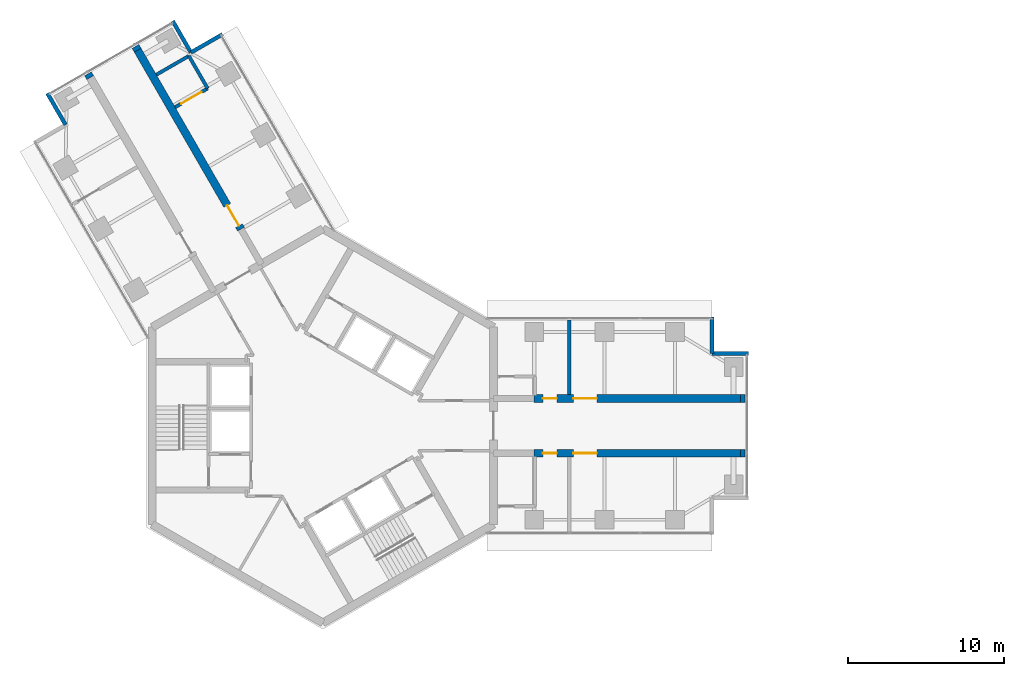
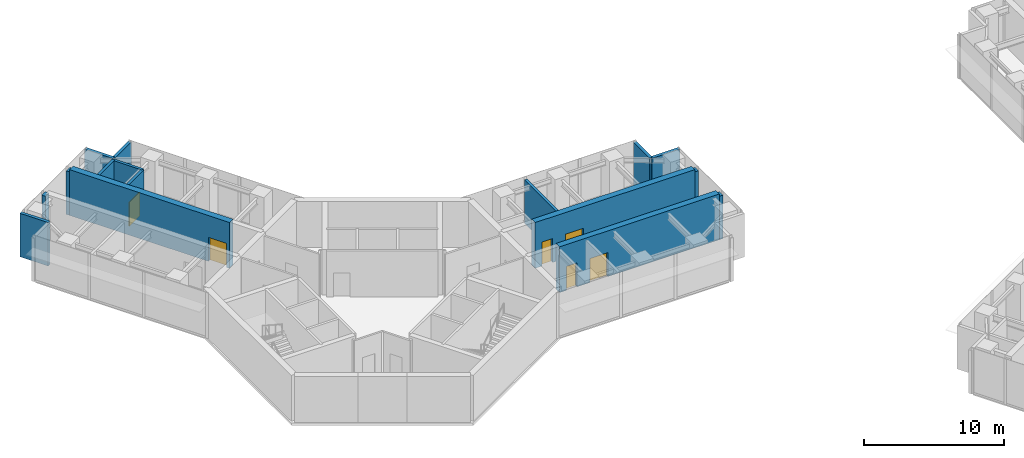
# One storey, part 13 of 17: 16 walls, 6 doors, 6 openings.
"""IFC4 building model written with IfcOpenShell, lengths in metres."""

import ifcopenshell
import ifcopenshell.guid

model = None  # the IFC model being written
_history = None  # IfcOwnerHistory: only IFC2X3 demands one
_inside = {}  # id of a spatial element -> (the spatial element, [elements in it])
_under = {}  # id of a project, library or spatial element -> (it, [spatial elements below it])
_declared = {}  # id of a project -> (the project, [libraries it declares])
_typed = {}  # id of a type object -> (the type object, [elements of that type])
_made_of = {}  # id of a material, layer set ... -> (it, [elements and type objects made of it])


def new_model(schema):
    """Start an empty IFC model of exactly this schema.

    Asked for "IFC4X3", IfcOpenShell would pick the latest addendum, in which some entities
    have other attributes; the version numbers below select the first issue.
    IFC2X3 requires an IfcOwnerHistory on every rooted entity: one is made here for all.
    """
    global model, _history
    if schema == "IFC4X3":
        model = ifcopenshell.file(schema_version=(4, 3, 0, 0))
    else:
        model = ifcopenshell.file(schema=schema)
    _inside.clear()
    _under.clear()
    _declared.clear()
    _typed.clear()
    _made_of.clear()
    _history = None
    if model.schema == "IFC2X3":
        org = make("IfcOrganization", Name="unknown")
        user = make(
            "IfcPersonAndOrganization",
            ThePerson=make("IfcPerson", FamilyName="unknown"),
            TheOrganization=org,
        )
        app = make(
            "IfcApplication",
            ApplicationDeveloper=org,
            Version="unknown",
            ApplicationFullName="unknown",
            ApplicationIdentifier="unknown",
        )
        _history = make(
            "IfcOwnerHistory",
            OwningUser=user,
            OwningApplication=app,
            ChangeAction="ADDED",
            CreationDate=0,
        )
    return model


def make(cls, **values):
    """One entity of the class cls with the attributes given. An attribute that is None is left unset."""
    return model.create_entity(
        cls, **{name: value for name, value in values.items() if value is not None}
    )


def rooted(cls, **values):
    """An entity with a GlobalId (a new one), such as an element, a storey or a relation."""
    return make(cls, GlobalId=ifcopenshell.guid.new(), OwnerHistory=_history, **values)


def si_unit(unit_type, name, prefix=None):
    """IfcSIUnit, for example si_unit("LENGTHUNIT", "METRE", prefix="MILLI")."""
    return make("IfcSIUnit", UnitType=unit_type, Prefix=prefix, Name=name)


def assignment(units):
    """IfcUnitAssignment: the units of a project."""
    return None if units is None else make("IfcUnitAssignment", Units=units)


def point(xyz):
    """IfcCartesianPoint."""
    return None if xyz is None else make("IfcCartesianPoint", Coordinates=xyz)


def direction(xyz):
    """IfcDirection."""
    return None if xyz is None else make("IfcDirection", DirectionRatios=xyz)


def frame(location, z_axis=None, x_axis=None):
    """IfcAxis2Placement3D, a coordinate frame: its origin and axes. An axis left out is left unset."""
    return make(
        "IfcAxis2Placement3D",
        Location=point(location),
        Axis=direction(z_axis),
        RefDirection=direction(x_axis),
    )


def frame_2d(location, x_axis=None):
    """IfcAxis2Placement2D, a coordinate frame in the plane: its origin and x axis."""
    return make(
        "IfcAxis2Placement2D", Location=point(location), RefDirection=direction(x_axis)
    )


def origin():
    """The frame at (0, 0, 0) with its axes left unset."""
    return frame((0.0, 0.0, 0.0))


def place(relative_to, where):
    """IfcLocalPlacement: puts the frame where relative to a parent placement (None: the world)."""
    return make(
        "IfcLocalPlacement", PlacementRelTo=relative_to, RelativePlacement=where
    )


def context(
    kind, dimensions, precision=None, world=None, true_north=None, identifier=None
):
    """IfcGeometricRepresentationContext, for example the 3D "Model" context."""
    return make(
        "IfcGeometricRepresentationContext",
        ContextIdentifier=identifier,
        ContextType=kind,
        CoordinateSpaceDimension=dimensions,
        Precision=precision,
        WorldCoordinateSystem=world,
        TrueNorth=true_north,
    )


def subcontext(parent, identifier, kind, view, scale=None):
    """IfcGeometricRepresentationSubContext, for example "Body" below "Model"."""
    return make(
        "IfcGeometricRepresentationSubContext",
        ContextIdentifier=identifier,
        ContextType=kind,
        ParentContext=parent,
        TargetScale=scale,
        TargetView=view,
    )


def project(units=None, contexts=None):
    """IfcProject with its units and contexts."""
    return rooted(
        "IfcProject",
        Name="project",
        RepresentationContexts=contexts,
        UnitsInContext=assignment(units),
    )


def spatial(cls, under=None, at=None, **own):
    """A site, building, storey or space (cls), placed at a placement, below another one or the project."""
    s = rooted(cls, ObjectPlacement=at, **own)
    if under is not None:
        _under.setdefault(under.id(), (under, []))[1].append(s)
    return s


def profile(cls, at=None, kind="AREA", **sizes):
    """A parametric profile (cls). Its sizes go by their IFC names, for example OverallWidth=200.0."""
    return make(cls, ProfileType=kind, Position=at, **sizes)


def rectangle(**sizes):
    """IfcRectangleProfileDef."""
    return profile("IfcRectangleProfileDef", **sizes)


def extrude(swept, where, along, depth):
    """IfcExtrudedAreaSolid: the profile swept, set in the frame where, extruded along a direction by depth."""
    return make(
        "IfcExtrudedAreaSolid",
        SweptArea=swept,
        Position=where,
        ExtrudedDirection=direction(along),
        Depth=depth,
    )


def shape(context_of_items, identifier, shape_type, items):
    """IfcShapeRepresentation: the items that make up one representation, for example the "Body"."""
    return make(
        "IfcShapeRepresentation",
        ContextOfItems=context_of_items,
        RepresentationIdentifier=identifier,
        RepresentationType=shape_type,
        Items=items,
    )


def material(Name=None, Category=None):
    """IfcMaterial."""
    return make("IfcMaterial", Name=Name, Category=Category)


def layer(
    of_material, thickness, ventilated=None, Name=None, Category=None, Priority=None
):
    """IfcMaterialLayer: one layer of a wall or slab, of a material (None: an air gap)."""
    return make(
        "IfcMaterialLayer",
        Material=of_material,
        LayerThickness=thickness,
        IsVentilated=ventilated,
        Name=Name,
        Category=Category,
        Priority=Priority,
    )


def layer_set(layers, Name=None):
    """IfcMaterialLayerSet."""
    return make("IfcMaterialLayerSet", MaterialLayers=layers, LayerSetName=Name)


def made_of(thing, what):
    """Note that an element or type object is made of a material, layer set ...; save() writes the relation."""
    if what is not None:
        _made_of.setdefault(what.id(), (what, []))[1].append(thing)
    return thing


def type_object(cls, material=None, **own):
    """A type object (cls), such as IfcWallType, which elements share."""
    return made_of(rooted(cls, **own), material)


def element(
    cls,
    number,
    at=None,
    inside=None,
    cuts=None,
    type_object=None,
    material=None,
    context=None,
    identifier="Body",
    shape_type=None,
    held_by="IfcProductDefinitionShape",
    body=None,
    shapes=None,
    **own,
):
    """One element of the class cls, such as IfcWall. Its Tag is "e" and its number.

    at: its placement. inside: the storey or other place that contains it. cuts: it is an
    opening in that element (IfcRelVoidsElement). A single representation is given by context,
    identifier, shape_type and body (its items); several are given by shapes. held_by: the class
    of the entity that holds the representations. save() writes the other relations.
    """
    e = rooted(cls, Tag="e%d" % number, ObjectPlacement=at, **own)
    if body is not None:
        shapes = [shape(context, identifier, shape_type, body)]
    if shapes is not None:
        e.Representation = make(held_by, Representations=shapes)
    if inside is not None:
        _inside.setdefault(inside.id(), (inside, []))[1].append(e)
    if cuts is not None:
        rooted(
            "IfcRelVoidsElement", RelatingBuildingElement=cuts, RelatedOpeningElement=e
        )
    if type_object is not None:
        _typed.setdefault(type_object.id(), (type_object, []))[1].append(e)
    return made_of(e, material)


def fill(opening, filler):
    """IfcRelFillsElement: the door or window that sits in an opening."""
    return rooted(
        "IfcRelFillsElement",
        RelatingOpeningElement=opening,
        RelatedBuildingElement=filler,
    )


def aggregate(whole, parts):
    """IfcRelAggregates: a whole, such as a stair, and the parts it consists of."""
    return rooted("IfcRelAggregates", RelatingObject=whole, RelatedObjects=parts)


def save(model, path):
    """Write the relations noted so far, then the file.

    IfcRelAggregates (storeys below a building ...), IfcRelContainedInSpatialStructure (elements
    in a storey), IfcRelDefinesByType, IfcRelAssociatesMaterial and IfcRelDeclares: one each for
    every whole, place, type object, material and project.
    """
    for whole, parts in _under.values():
        aggregate(whole, parts)
    for where, things in _inside.values():
        rooted(
            "IfcRelContainedInSpatialStructure",
            RelatedElements=things,
            RelatingStructure=where,
        )
    for kind, things in _typed.values():
        rooted("IfcRelDefinesByType", RelatedObjects=things, RelatingType=kind)
    for what, things in _made_of.values():
        rooted("IfcRelAssociatesMaterial", RelatedObjects=things, RelatingMaterial=what)
    for by, libraries in _declared.values():
        rooted("IfcRelDeclares", RelatingContext=by, RelatedDefinitions=libraries)
    model.write(path)


model = new_model("IFC4")

# Units and contexts
model_context = context("Model", 3, precision=1e-05, world=origin(), true_north=direction((0.0, 1.0)))
body_context = subcontext(model_context, "Body", "Model", "MODEL_VIEW")
ifc_project = project(units=[si_unit("LENGTHUNIT", "METRE"), si_unit("AREAUNIT", "SQUARE_METRE"), si_unit("VOLUMEUNIT", "CUBIC_METRE"), si_unit("PLANEANGLEUNIT", "RADIAN"), si_unit("MASSUNIT", "GRAM", prefix="KILO")], contexts=[model_context])

# Site, building, storey
site_placement = place(None, origin())
site = spatial("IfcSite", under=ifc_project, at=site_placement, CompositionType="ELEMENT")
building_placement = place(site_placement, origin())
building = spatial("IfcBuilding", under=site, at=building_placement, Name="Upepo Twin Towers", CompositionType="ELEMENT")
storey_placement = place(building_placement, frame((0.0, 0.0, 182.5)))
storey = spatial("IfcBuildingStorey", under=building, at=storey_placement, Name="L44", CompositionType="ELEMENT", Elevation=182.5)

# Walls
ifc_material_1 = material(Name="Concrete blockwork, plastered both faces", Category="masonry")
ifc_layer_1 = layer(ifc_material_1, 0.215087890625)
ifc_layer_set_1 = layer_set([ifc_layer_1], Name="Blockwork partition 215")
wall_type_1 = type_object("IfcWallType", Name="Blockwork partition 215", PredefinedType="PARTITIONING", material=ifc_layer_set_1)
wall_1_placement = place(storey_placement, frame((15.75, 2.0, 0.0), z_axis=(0.0, 0.0, 1.0), x_axis=(0.0, 1.0, 0.0)))
element("IfcWall", 1, at=wall_1_placement, inside=storey, type_object=wall_type_1, Name="T1 partition AL at 15.75", PredefinedType="PARTITIONING", context=body_context, shape_type="SweptSolid", body=[
    extrude(rectangle(XDim=4.75, YDim=0.215087890625, at=frame_2d((2.375, 0.0))), origin(), (0.0, 0.0, 1.0), 3.800048828125),
])
wall_2_placement = place(storey_placement, frame((-7.364501953125, 21.5556640625, 0.0), z_axis=(0.0, 0.0, 1.0), x_axis=(-0.500001309137, 0.866024647952, 0.0)))
element("IfcWall", 2, at=wall_2_placement, inside=storey, type_object=wall_type_1, Name="T1 inner room partition BR at 22.35", PredefinedType="PARTITIONING", context=body_context, shape_type="SweptSolid", body=[
    extrude(rectangle(XDim=2.39990234375, YDim=0.215087890625, at=frame_2d((1.199951171875, 0.0))), origin(), (0.0, 0.0, 1.0), 3.800048828125),
])

# Wall, opening, door
wall_3_placement = place(storey_placement, frame((-9.44287109375, 20.355712890625, 0.0), z_axis=(0.0, 0.0, 1.0), x_axis=(0.866024647952, 0.500001309137, 0.0)))
wall_3 = element("IfcWall", 3, at=wall_3_placement, inside=storey, type_object=wall_type_1, Name="T1 inner room partition BR end at 22.35", PredefinedType="PARTITIONING", context=body_context, shape_type="SweptSolid", body=[
    extrude(rectangle(XDim=2.39990234375, YDim=0.215087890625, at=frame_2d((1.199951171875, 0.0))), origin(), (0.0, 0.0, 1.0), 3.800048828125),
])
opening_1_placement = place(wall_3_placement, frame((0.449951171875, 0.0, 0.0)))
opening_1 = element("IfcOpeningElement", 4, at=opening_1_placement, cuts=wall_3, Name="Opening D13", PredefinedType="OPENING", context=body_context, shape_type="SweptSolid", body=[
    extrude(rectangle(XDim=1.5, YDim=2.10009765625, at=frame_2d((0.75, 1.050048828125))), frame((0.0, 0.117431640625, 0.0), z_axis=(0.0, -1.0, 0.0), x_axis=(1.0, 0.0, 0.0)), (0.0, 0.0, 1.0), 0.235107421875),
])
ifc_material_2 = material(Name="Timber doorset", Category="wood")
door_type_1 = type_object("IfcDoorType", Name="Double door 1500 FD30", OperationType="DOUBLE_DOOR_SINGLE_SWING", PredefinedType="DOOR", material=ifc_material_2)
door_1_placement = place(opening_1_placement, origin())
door_1 = element("IfcDoor", 5, at=door_1_placement, inside=storey, type_object=door_type_1, Name="T1 L44 inner room door", OperationType="DOUBLE_DOOR_SINGLE_SWING", OverallHeight=2.10009765625, OverallWidth=1.5, PredefinedType="DOOR", context=body_context, shape_type="SweptSolid", body=[
    extrude(rectangle(XDim=1.5, YDim=2.10009765625, at=frame_2d((0.75, 1.050048828125))), frame((0.0, 0.02490234375, 0.0), z_axis=(0.0, -1.0, 0.0), x_axis=(1.0, 0.0, 0.0)), (0.0, 0.0, 1.0), 0.050048828125),
])
fill(opening_1, door_1)

# Walls
wall_4_placement = place(storey_placement, frame((-10.64306640625, 22.43408203125, 0.0), z_axis=(0.0, 0.0, 1.0), x_axis=(0.866050077142, 0.499957262057, 0.0)))
element("IfcWall", 6, at=wall_4_placement, inside=storey, type_object=wall_type_1, Name="T1 inner room partition BR end at 24.75", PredefinedType="PARTITIONING", context=body_context, shape_type="SweptSolid", body=[
    extrude(rectangle(XDim=2.400146484375, YDim=0.215087890625, at=frame_2d((1.2001953125, 0.0))), origin(), (0.0, 0.0, 1.0), 3.800048828125),
])
ifc_material_3 = material(Name="Dense concrete blockwork", Category="masonry")
ifc_layer_2 = layer(ifc_material_3, 0.5)
ifc_layer_set_2 = layer_set([ifc_layer_2], Name="Buttress closer 500, blockwork with fire-stopping to the curtain wall")
wall_type_2 = type_object("IfcWallType", Name="Buttress closer 500, blockwork with fire-stopping to the curtain wall", PredefinedType="PARTITIONING", material=ifc_layer_set_2)
for number, where, z_axis, x_axis, name in (
    (7, (26.699951171875, 1.75, 0.0), (0.0, 0.0, 1.0), (1.0, 0.0, 0.0), "T1 L44 wing A buttress closer L"),
    (8, (26.699951171875, -1.75, 0.0), (0.0, 0.0, 1.0), (1.0, 0.0, 0.0), "T1 L44 wing A buttress closer R"),
    (9, (-14.865478515625, 22.247802734375, 0.0), (0.0, 0.0, 1.0), (-0.500065409566, 0.86598763626, 0.0), "T1 L44 wing B buttress closer L"),
    (10, (-11.83447265625, 23.997802734375, 0.0), (0.0, 0.0, 1.0), (-0.500065409566, 0.86598763626, 0.0), "T1 L44 wing B buttress closer R"),
):
    element("IfcWall", number, at=place(storey_placement, frame(where, z_axis=z_axis, x_axis=x_axis)), inside=storey, type_object=wall_type_2, Name=name, PredefinedType="PARTITIONING", context=body_context, shape_type="SweptSolid", body=[
        extrude(rectangle(XDim=0.28759765625, YDim=0.5, at=frame_2d((0.143798828125, 0.0))), origin(), (0.0, 0.0, 1.0), 3.800048828125),
    ])

# Wall, openings, doors
ifc_material_4 = material(Name="Concrete C60/75", Category="concrete")
ifc_layer_3 = layer(ifc_material_4, 0.5)
ifc_layer_set_3 = layer_set([ifc_layer_3], Name="Concrete C60/75")
wall_type_3 = type_object("IfcWallType", Name="Buttress wall 500 RC", PredefinedType="SHEAR", material=ifc_layer_set_3)
wall_5_placement = place(storey_placement, frame((13.5, 1.75, 0.0), z_axis=(0.0, 0.0, 1.0), x_axis=(1.0, 0.0, 0.0)))
wall_5 = element("IfcWall", 11, at=wall_5_placement, inside=storey, type_object=wall_type_3, Name="T1 wing A buttress wall L part 2", PredefinedType="SHEAR", context=body_context, shape_type="SweptSolid", body=[
    extrude(rectangle(XDim=13.199951171875, YDim=0.5, at=frame_2d((6.60009765625, 0.0))), origin(), (0.0, 0.0, 1.0), 4.0),
])
opening_2_placement = place(wall_5_placement, frame((0.550048828125, 0.0, 0.0)))
opening_2 = element("IfcOpeningElement", 12, at=opening_2_placement, cuts=wall_5, Name="Opening D11", PredefinedType="OPENING", context=body_context, shape_type="SweptSolid", body=[
    extrude(rectangle(XDim=0.89990234375, YDim=2.10009765625, at=frame_2d((0.449951171875, 1.050048828125))), frame((0.0, 0.260009765625, 0.0), z_axis=(0.0, -1.0, 0.0), x_axis=(1.0, 0.0, 0.0)), (0.0, 0.0, 1.0), 0.52001953125),
])
opening_3_placement = place(wall_5_placement, frame((2.5, 0.0, 0.0)))
opening_3 = element("IfcOpeningElement", 13, at=opening_3_placement, cuts=wall_5, Name="Opening D13", PredefinedType="OPENING", context=body_context, shape_type="SweptSolid", body=[
    extrude(rectangle(XDim=1.5, YDim=2.10009765625, at=frame_2d((0.75, 1.050048828125))), frame((0.0, 0.260009765625, 0.0), z_axis=(0.0, -1.0, 0.0), x_axis=(1.0, 0.0, 0.0)), (0.0, 0.0, 1.0), 0.52001953125),
])
door_2_placement = place(opening_3_placement, origin())
door_2 = element("IfcDoor", 14, at=door_2_placement, inside=storey, type_object=door_type_1, Name="T1 L44 engineering laboratory door", OperationType="DOUBLE_DOOR_SINGLE_SWING", OverallHeight=2.10009765625, OverallWidth=1.5, PredefinedType="DOOR", context=body_context, shape_type="SweptSolid", body=[
    extrude(rectangle(XDim=1.5, YDim=2.10009765625, at=frame_2d((0.75, 1.050048828125))), frame((0.0, 0.02490234375, 0.0), z_axis=(0.0, -1.0, 0.0), x_axis=(1.0, 0.0, 0.0)), (0.0, 0.0, 1.0), 0.050048828125),
])
fill(opening_3, door_2)
ifc_material_5 = material(Name="Timber doorset", Category="wood")
door_type_2 = type_object("IfcDoorType", Name="Toilet door 900", OperationType="SINGLE_SWING_LEFT", PredefinedType="DOOR", material=ifc_material_5)
door_3_placement = place(opening_2_placement, origin())
door_3 = element("IfcDoor", 15, at=door_3_placement, inside=storey, type_object=door_type_2, Name="T1 L44 toilets door", OperationType="SINGLE_SWING_LEFT", OverallHeight=2.10009765625, OverallWidth=0.89990234375, PredefinedType="DOOR", context=body_context, shape_type="SweptSolid", body=[
    extrude(rectangle(XDim=0.89990234375, YDim=2.10009765625, at=frame_2d((0.449951171875, 1.050048828125))), frame((0.0, 0.02490234375, 0.0), z_axis=(0.0, -1.0, 0.0), x_axis=(1.0, 0.0, 0.0)), (0.0, 0.0, 1.0), 0.050048828125),
])
fill(opening_2, door_3)

wall_6_placement = place(storey_placement, frame((13.5, -1.75, 0.0), z_axis=(0.0, 0.0, 1.0), x_axis=(1.0, 0.0, 0.0)))
wall_6 = element("IfcWall", 16, at=wall_6_placement, inside=storey, type_object=wall_type_3, Name="T1 wing A buttress wall R part 2", PredefinedType="SHEAR", context=body_context, shape_type="SweptSolid", body=[
    extrude(rectangle(XDim=13.199951171875, YDim=0.5, at=frame_2d((6.60009765625, 0.0))), origin(), (0.0, 0.0, 1.0), 4.0),
])
opening_4_placement = place(wall_6_placement, frame((0.550048828125, 0.0, 0.0)))
opening_4 = element("IfcOpeningElement", 17, at=opening_4_placement, cuts=wall_6, Name="Opening D11", PredefinedType="OPENING", context=body_context, shape_type="SweptSolid", body=[
    extrude(rectangle(XDim=0.89990234375, YDim=2.10009765625, at=frame_2d((0.449951171875, 1.050048828125))), frame((0.0, 0.260009765625, 0.0), z_axis=(0.0, -1.0, 0.0), x_axis=(1.0, 0.0, 0.0)), (0.0, 0.0, 1.0), 0.52001953125),
])
opening_5_placement = place(wall_6_placement, frame((2.5, 0.0, 0.0)))
opening_5 = element("IfcOpeningElement", 18, at=opening_5_placement, cuts=wall_6, Name="Opening D13", PredefinedType="OPENING", context=body_context, shape_type="SweptSolid", body=[
    extrude(rectangle(XDim=1.5, YDim=2.10009765625, at=frame_2d((0.75, 1.050048828125))), frame((0.0, 0.260009765625, 0.0), z_axis=(0.0, -1.0, 0.0), x_axis=(1.0, 0.0, 0.0)), (0.0, 0.0, 1.0), 0.52001953125),
])
door_4_placement = place(opening_5_placement, origin())
door_4 = element("IfcDoor", 19, at=door_4_placement, inside=storey, type_object=door_type_1, Name="T1 L44 engineering laboratory door", OperationType="DOUBLE_DOOR_SINGLE_SWING", OverallHeight=2.10009765625, OverallWidth=1.5, PredefinedType="DOOR", context=body_context, shape_type="SweptSolid", body=[
    extrude(rectangle(XDim=1.5, YDim=2.10009765625, at=frame_2d((0.75, 1.050048828125))), frame((0.0, 0.02490234375, 0.0), z_axis=(0.0, -1.0, 0.0), x_axis=(1.0, 0.0, 0.0)), (0.0, 0.0, 1.0), 0.050048828125),
])
fill(opening_5, door_4)
door_5_placement = place(opening_4_placement, origin())
door_5 = element("IfcDoor", 20, at=door_5_placement, inside=storey, type_object=door_type_2, Name="T1 L44 accessible wc door", OperationType="SINGLE_SWING_LEFT", OverallHeight=2.10009765625, OverallWidth=0.89990234375, PredefinedType="DOOR", context=body_context, shape_type="SweptSolid", body=[
    extrude(rectangle(XDim=0.89990234375, YDim=2.10009765625, at=frame_2d((0.449951171875, 1.050048828125))), frame((0.0, 0.02490234375, 0.0), z_axis=(0.0, -1.0, 0.0), x_axis=(1.0, 0.0, 0.0)), (0.0, 0.0, 1.0), 0.050048828125),
])
fill(opening_4, door_5)

# Wall, opening, door
wall_7_placement = place(storey_placement, frame((-5.234375, 12.56640625, 0.0), z_axis=(0.0, 0.0, 1.0), x_axis=(-0.500010103361, 0.866019570528, 0.0)))
wall_7 = element("IfcWall", 21, at=wall_7_placement, inside=storey, type_object=wall_type_3, Name="T1 wing B buttress wall R part 2", PredefinedType="SHEAR", context=body_context, shape_type="SweptSolid", body=[
    extrude(rectangle(XDim=13.199951171875, YDim=0.5, at=frame_2d((6.60009765625, 0.0))), origin(), (0.0, 0.0, 1.0), 4.0),
])
opening_6_placement = place(wall_7_placement, frame((0.25, 0.0, 0.0)))
opening_6 = element("IfcOpeningElement", 22, at=opening_6_placement, cuts=wall_7, Name="Opening D13", PredefinedType="OPENING", context=body_context, shape_type="SweptSolid", body=[
    extrude(rectangle(XDim=1.5, YDim=2.10009765625, at=frame_2d((0.75, 1.050048828125))), frame((0.0, 0.260009765625, 0.0), z_axis=(0.0, -1.0, 0.0), x_axis=(1.0, 0.0, 0.0)), (0.0, 0.0, 1.0), 0.52001953125),
])
door_6_placement = place(opening_6_placement, origin())
door_6 = element("IfcDoor", 23, at=door_6_placement, inside=storey, type_object=door_type_1, Name="T1 L44 engineering laboratory door", OperationType="DOUBLE_DOOR_SINGLE_SWING", OverallHeight=2.10009765625, OverallWidth=1.5, PredefinedType="DOOR", context=body_context, shape_type="SweptSolid", body=[
    extrude(rectangle(XDim=1.5, YDim=2.10009765625, at=frame_2d((0.75, 1.050048828125))), frame((0.0, 0.02490234375, 0.0), z_axis=(0.0, -1.0, 0.0), x_axis=(1.0, 0.0, 0.0)), (0.0, 0.0, 1.0), 0.050048828125),
])
fill(opening_6, door_6)

# Walls
ifc_material_6 = material(Name="Blockwork with anodised aluminium cladding", Category="masonry")
ifc_layer_4 = layer(ifc_material_6, 0.25)
ifc_layer_set_4 = layer_set([ifc_layer_4], Name="Notch cladding wall 250, pale metal")
wall_type_4 = type_object("IfcWallType", Name="Notch cladding wall 250, pale metal", PredefinedType="STANDARD", material=ifc_layer_set_4)
for number, where, z_axis, x_axis, name in (
    (24, (24.875, 6.949951171875, 0.0), (0.0, 0.0, 1.0), (0.0, -1.0, 0.0), "T1 L44 wing A notch wall L1"),
    (25, (24.875, 4.625, 0.0), (0.0, 0.0, 1.0), (1.0, 0.0, 0.0), "T1 L44 wing A notch wall L2"),
    (26, (-16.44287109375, 19.22998046875, 0.0), (0.0, 0.0, 1.0), (-0.500046648681, 0.865998469481, 0.0), "T1 L44 wing B notch wall L2"),
    (27, (-6.418701171875, 25.017333984375, 0.0), (0.0, 0.0, 1.0), (-0.866043940782, -0.499967891604, 0.0), "T1 L44 wing B notch wall R1"),
    (28, (-8.43212890625, 23.85498046875, 0.0), (0.0, 0.0, 1.0), (-0.500046648681, 0.865998469481, 0.0), "T1 L44 wing B notch wall R2"),
):
    element("IfcWall", number, at=place(storey_placement, frame(where, z_axis=z_axis, x_axis=x_axis)), inside=storey, type_object=wall_type_4, Name=name, PredefinedType="STANDARD", context=body_context, shape_type="SweptSolid", body=[
        extrude(rectangle(XDim=2.324951171875, YDim=0.25, at=frame_2d((1.16259765625, 0.0))), origin(), (0.0, 0.0, 1.0), 3.800048828125),
    ])

save(model, "model.ifc")
